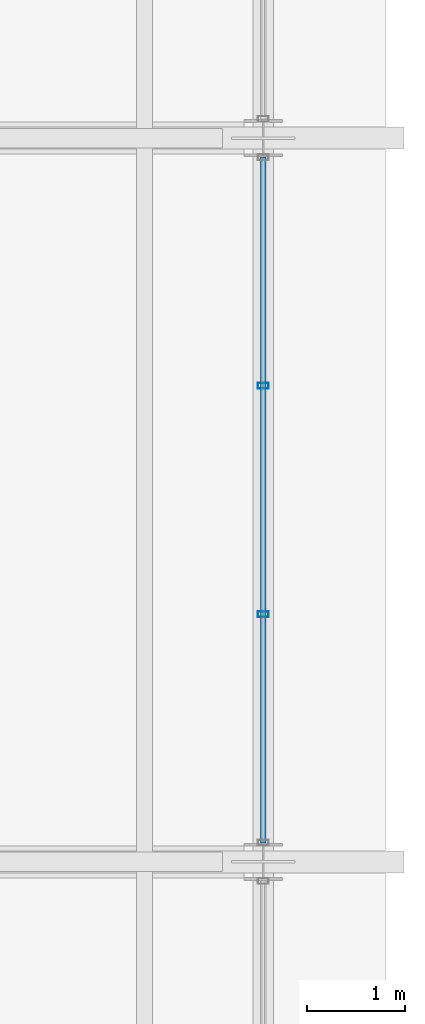
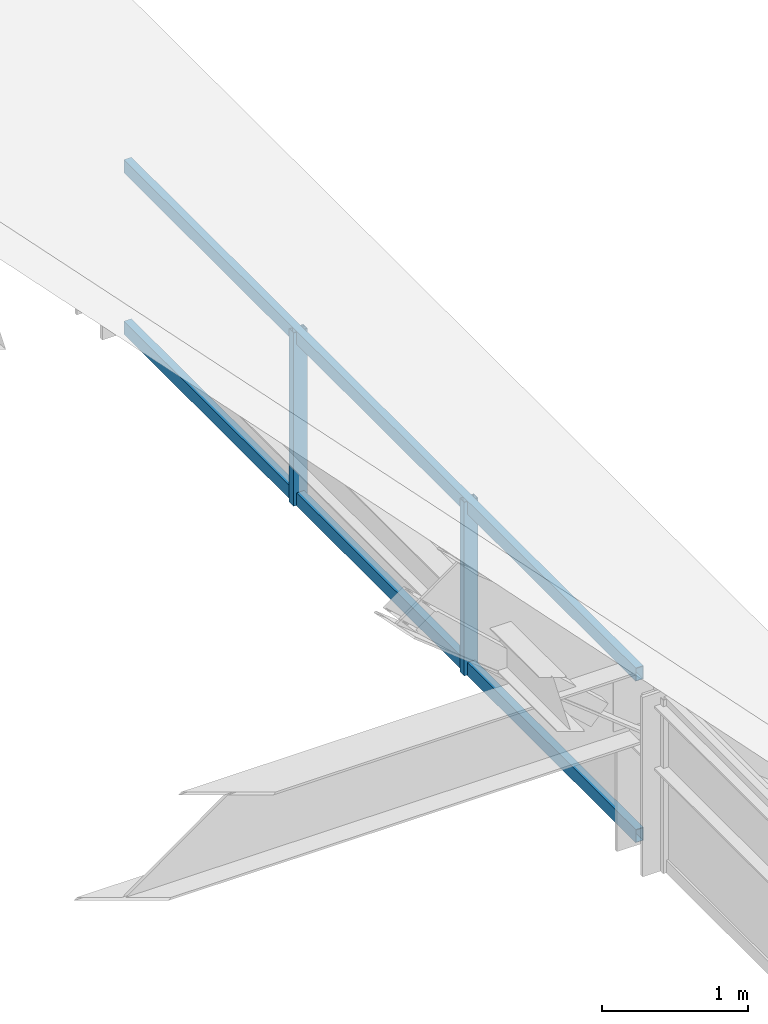
# One storey, part 20 of 44: 4 members, 1 element without a shape of its own.
"""IFC4 building model written with IfcOpenShell, lengths in metres."""

from ifc_helpers import new_model, si_unit, direction, frame, origin, origin_2d, place, context, subcontext, project, spatial, hollow_rectangle, extrude, material, material_profile, profile_set, type_object, element, aggregate, save


model = new_model("IFC4")

# Units and contexts
model_context = context("Model", 3, precision=1e-05, world=origin(), true_north=direction((0.0, 1.0)))
body_context = subcontext(model_context, "Body", "Model", "MODEL_VIEW")
ifc_project = project(units=[si_unit("LENGTHUNIT", "METRE"), si_unit("AREAUNIT", "SQUARE_METRE"), si_unit("VOLUMEUNIT", "CUBIC_METRE"), si_unit("PLANEANGLEUNIT", "RADIAN"), si_unit("MASSUNIT", "GRAM", prefix="KILO")], contexts=[model_context])

# Site, building, storey
site_placement = place(None, origin())
site = spatial("IfcSite", under=ifc_project, at=site_placement, CompositionType="ELEMENT")
building_placement = place(site_placement, origin())
building = spatial("IfcBuilding", under=site, at=building_placement, Name="Cimatlan Art Gallery", CompositionType="ELEMENT")
storey_placement = place(building_placement, frame((0.0, 0.0, 26.39990234375)))
storey = spatial("IfcBuildingStorey", under=building, at=storey_placement, Name="Roof", CompositionType="ELEMENT", Elevation=26.39990234375)

# Curtain wall, members
ifc_material_1 = material(Name="Anodised bronze unitised curtain wall")
curtain_wall_type = type_object("IfcCurtainWallType", Name="CW-V-07010X01450-B3", PredefinedType="NOTDEFINED", material=ifc_material_1)
curtain_wall_placement = place(storey_placement, origin())
curtain_wall = element("IfcCurtainWall", 1, at=curtain_wall_placement, inside=storey, type_object=curtain_wall_type, Name="CW-CRW-E-06", PredefinedType="NOTDEFINED")
ifc_material_2 = material(Name="Anodised bronze aluminium 6063-T6", Category="aluminium")
ifc_material_profile_1 = material_profile(ifc_material_2, hollow_rectangle(XDim=0.06005859375, YDim=0.110107421875, WallThickness=0.00341796875, at=origin_2d()), Name="ALU60X110X3")
ifc_profile_set_1 = profile_set([ifc_material_profile_1], Name="Anodised bronze aluminium 6063-T6")
member_type_1 = type_object("IfcMemberType", Name="CW-MUL-110", PredefinedType="MULLION", material=ifc_profile_set_1)
member_1_placement = place(storey_placement, frame((99.199951171875, 50.96826171875, 0.0), z_axis=(0.0, 0.0, 1.0), x_axis=(0.0, 1.0, 0.0)))
member_1 = element("IfcMember", 2, at=member_1_placement, type_object=member_type_1, Name="CW-CRW-E-06-M2", PredefinedType="MULLION", context=body_context, shape_type="SweptSolid", body=[
    extrude(hollow_rectangle(XDim=0.06005859375, YDim=0.110107421875, WallThickness=0.00341796875, at=origin_2d()), origin(), (0.0, 0.0, 1.0), 1.4501953125),
])
member_2_placement = place(storey_placement, frame((99.199951171875, 48.631591796875, 0.0), z_axis=(0.0, 0.0, 1.0), x_axis=(0.0, 1.0, 0.0)))
member_2 = element("IfcMember", 3, at=member_2_placement, type_object=member_type_1, Name="CW-CRW-E-06-M3", PredefinedType="MULLION", context=body_context, shape_type="SweptSolid", body=[
    extrude(hollow_rectangle(XDim=0.06005859375, YDim=0.110107421875, WallThickness=0.00341796875, at=origin_2d()), origin(), (0.0, 0.0, 1.0), 1.4501953125),
])
ifc_material_profile_2 = material_profile(ifc_material_2, hollow_rectangle(XDim=0.06005859375, YDim=0.110107421875, WallThickness=0.00341796875, at=origin_2d()), Name="ALU60X110X3")
ifc_profile_set_2 = profile_set([ifc_material_profile_2], Name="Anodised bronze aluminium 6063-T6")
member_type_2 = type_object("IfcMemberType", Name="CW-TRN-110", PredefinedType="USERDEFINED", material=ifc_profile_set_2)
member_3_placement = place(storey_placement, frame((99.199951171875, 53.304931640625, 0.050048828125), z_axis=(0.0, -1.0, 0.0), x_axis=(1.0, 0.0, 0.0)))
member_3 = element("IfcMember", 4, at=member_3_placement, type_object=member_type_2, Name="CW-CRW-E-06-T1", ObjectType="TRANSOM", PredefinedType="USERDEFINED", context=body_context, shape_type="SweptSolid", body=[
    extrude(hollow_rectangle(XDim=0.06005859375, YDim=0.110107421875, WallThickness=0.00341796875, at=origin_2d()), origin(), (0.0, 0.0, 1.0), 7.010009765625),
])
member_4_placement = place(storey_placement, frame((99.199951171875, 53.304931640625, 1.400146484375), z_axis=(0.0, -1.0, 0.0), x_axis=(1.0, 0.0, 0.0)))
member_4 = element("IfcMember", 5, at=member_4_placement, type_object=member_type_2, Name="CW-CRW-E-06-T2", ObjectType="TRANSOM", PredefinedType="USERDEFINED", context=body_context, shape_type="SweptSolid", body=[
    extrude(hollow_rectangle(XDim=0.06005859375, YDim=0.110107421875, WallThickness=0.00341796875, at=origin_2d()), origin(), (0.0, 0.0, 1.0), 7.010009765625),
])
aggregate(curtain_wall, [member_1, member_2, member_3, member_4])

save(model, "model.ifc")
